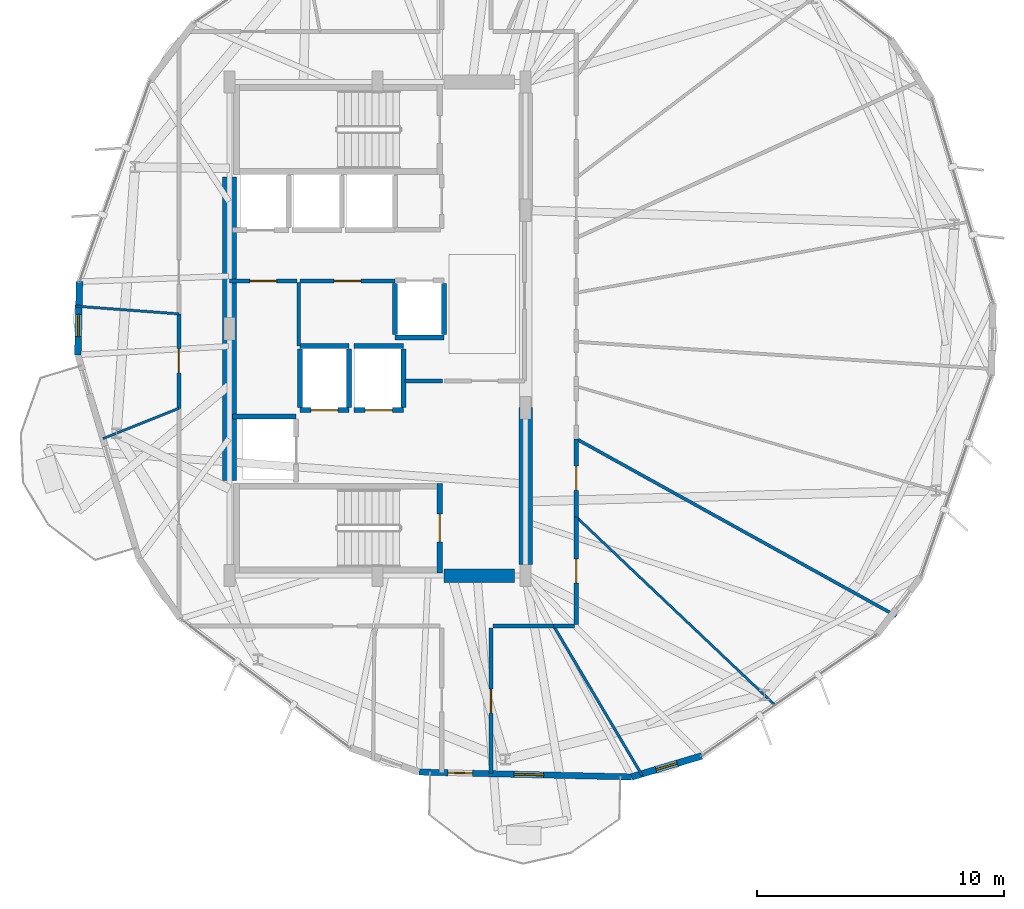
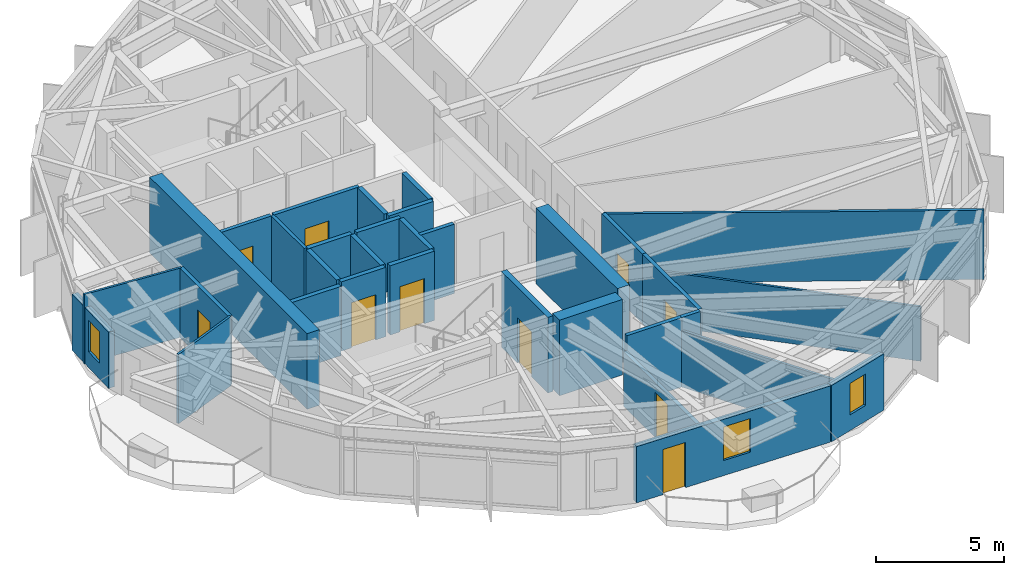
# One storey, part 16 of 22: 33 walls, 10 doors, 3 windows, 13 openings.
"""IFC4 building model written with IfcOpenShell, lengths in metres."""

from ifc_helpers import new_model, si_unit, direction, frame, frame_2d, origin, place, context, subcontext, project, spatial, rectangle, extrude, material, layer, layer_set, type_object, element, fill, save


model = new_model("IFC4")

# Units and contexts
model_context = context("Model", 3, precision=1e-05, world=origin(), true_north=direction((0.0, 1.0)))
body_context = subcontext(model_context, "Body", "Model", "MODEL_VIEW")
ifc_project = project(units=[si_unit("LENGTHUNIT", "METRE"), si_unit("AREAUNIT", "SQUARE_METRE"), si_unit("VOLUMEUNIT", "CUBIC_METRE"), si_unit("PLANEANGLEUNIT", "RADIAN"), si_unit("MASSUNIT", "GRAM", prefix="KILO")], contexts=[model_context])

# Site, building, storey
site_placement = place(None, origin())
site = spatial("IfcSite", under=ifc_project, at=site_placement, CompositionType="ELEMENT")
building_placement = place(site_placement, origin())
building = spatial("IfcBuilding", under=site, at=building_placement, Name="Soratama Intermodal Tower", CompositionType="ELEMENT")
storey_placement = place(building_placement, frame((0.0, 0.0, 160.60009765625)))
storey = spatial("IfcBuildingStorey", under=building, at=storey_placement, Name="L39", CompositionType="ELEMENT", Elevation=160.60009765625)

# Wall, openings, door, window
ifc_material_1 = material(Name="Concrete f'c 42 MPa", Category="concrete")
ifc_layer_1 = layer(ifc_material_1, 0.25)
ifc_layer_set_1 = layer_set([ifc_layer_1], Name="Concrete f'c 42 MPa")
wall_type_1 = type_object("IfcWallType", Name="EW-BAL-250", PredefinedType="SOLIDWALL", material=ifc_layer_set_1)
wall_1_placement = place(storey_placement, frame((40.274169921875, 7.037109375, 0.0), z_axis=(0.0, 0.0, 1.0), x_axis=(0.999734296137, -0.023050751106, 0.0)))
wall_1 = element("IfcWall", 1, at=wall_1_placement, inside=storey, type_object=wall_type_1, Name="L39 Terrace Wall F07", PredefinedType="SOLIDWALL", context=body_context, shape_type="SweptSolid", body=[
    extrude(rectangle(XDim=8.621337890625, YDim=0.25, at=frame_2d((4.310546875, 0.0))), origin(), (0.0, 0.0, 1.0), 2.678955078125),
])
opening_1_placement = place(wall_1_placement, frame((1.1767578125, 0.0, 0.0)))
opening_1 = element("IfcOpeningElement", 2, at=opening_1_placement, cuts=wall_1, Name="Opening ED-2", PredefinedType="OPENING", context=body_context, shape_type="SweptSolid", body=[
    extrude(rectangle(XDim=1.0, YDim=2.14990234375, at=frame_2d((0.5, 1.074951171875))), frame((0.0, 0.135009765625, 0.0), z_axis=(0.0, -1.0, 0.0), x_axis=(1.0, 0.0, 0.0)), (0.0, 0.0, 1.0), 0.27001953125),
])
opening_2_placement = place(wall_1_placement, frame((3.85791015625, 0.0, 0.719970703125)))
opening_2 = element("IfcOpeningElement", 3, at=opening_2_placement, cuts=wall_1, Name="Opening WN-2", PredefinedType="OPENING", context=body_context, shape_type="SweptSolid", body=[
    extrude(rectangle(XDim=1.199951171875, YDim=1.60009765625, at=frame_2d((0.60009765625, 0.800048828125))), frame((0.0, 0.135009765625, 0.0), z_axis=(0.0, -1.0, 0.0), x_axis=(1.0, 0.0, 0.0)), (0.0, 0.0, 1.0), 0.27001953125),
])
ifc_material_2 = material(Name="Double-glazed aluminium door", Category="aluminium")
door_type_1 = type_object("IfcDoorType", Name="DR-BAL-1000", OperationType="NOTDEFINED", PredefinedType="DOOR", material=ifc_material_2)
door_1_placement = place(opening_1_placement, origin())
door_1 = element("IfcDoor", 4, at=door_1_placement, inside=storey, type_object=door_type_1, Name="L39 Balcony Door F07", OperationType="SINGLE_SWING_LEFT", OverallHeight=2.14990234375, OverallWidth=1.0, PredefinedType="DOOR", context=body_context, shape_type="SweptSolid", body=[
    extrude(rectangle(XDim=1.0, YDim=2.14990234375, at=frame_2d((0.5, 1.074951171875))), frame((0.0, 0.02490234375, 0.0), z_axis=(0.0, -1.0, 0.0), x_axis=(1.0, 0.0, 0.0)), (0.0, 0.0, 1.0), 0.050048828125),
])
fill(opening_1, door_1)
ifc_material_3 = material(Name="Double-glazed aluminium window", Category="aluminium")
window_type_1 = type_object("IfcWindowType", Name="WN-FAC-1200", PartitioningType="SINGLE_PANEL", PredefinedType="WINDOW", material=ifc_material_3)
window_1_placement = place(opening_2_placement, origin())
window_1 = element("IfcWindow", 5, at=window_1_placement, inside=storey, type_object=window_type_1, Name="L39 Window B F07", OverallHeight=1.60009765625, OverallWidth=1.199951171875, PartitioningType="SINGLE_PANEL", PredefinedType="WINDOW", context=body_context, shape_type="SweptSolid", body=[
    extrude(rectangle(XDim=1.199951171875, YDim=1.60009765625, at=frame_2d((0.60009765625, 0.800048828125))), frame((0.0, 0.030029296875, 0.0), z_axis=(0.0, -1.0, 0.0), x_axis=(1.0, 0.0, 0.0)), (0.0, 0.0, 1.0), 0.06005859375),
])
fill(opening_2, window_1)

# Wall, opening, window
ifc_material_4 = material(Name="Concrete f'c 42 MPa", Category="concrete")
ifc_layer_2 = layer(ifc_material_4, 0.27001953125)
ifc_layer_set_2 = layer_set([ifc_layer_2], Name="Concrete f'c 42 MPa")
wall_type_2 = type_object("IfcWallType", Name="EW-CRN-270", PredefinedType="SOLIDWALL", material=ifc_layer_set_2)
wall_2_placement = place(storey_placement, frame((26.524169921875, 26.909423828125, 0.0), z_axis=(0.0, 0.0, 1.0), x_axis=(-0.023042941499, -0.999734476172, 0.0)))
wall_2 = element("IfcWall", 6, at=wall_2_placement, inside=storey, type_object=wall_type_2, Name="L39 Corner Closure Wall 04", PredefinedType="SOLIDWALL", context=body_context, shape_type="SweptSolid", body=[
    extrude(rectangle(XDim=2.966552734375, YDim=0.27001953125, at=frame_2d((1.4833984375, 0.0))), origin(), (0.0, 0.0, 1.0), 2.678955078125),
])
opening_3_placement = place(wall_2_placement, frame((1.324951171875, 0.0, 0.75)))
opening_3 = element("IfcOpeningElement", 7, at=opening_3_placement, cuts=wall_2, Name="Opening WN-6", PredefinedType="OPENING", context=body_context, shape_type="SweptSolid", body=[
    extrude(rectangle(XDim=0.89990234375, YDim=1.5, at=frame_2d((0.449951171875, 0.75))), frame((0.0, 0.14501953125, 0.0), z_axis=(0.0, -1.0, 0.0), x_axis=(1.0, 0.0, 0.0)), (0.0, 0.0, 1.0), 0.2900390625),
])
ifc_material_5 = material(Name="Double-glazed aluminium window", Category="aluminium")
window_type_2 = type_object("IfcWindowType", Name="WN-FAC-900", PartitioningType="SINGLE_PANEL", PredefinedType="WINDOW", material=ifc_material_5)
window_2_placement = place(opening_3_placement, origin())
window_2 = element("IfcWindow", 8, at=window_2_placement, inside=storey, type_object=window_type_2, Name="L39 Corner Window 04", OverallHeight=1.5, OverallWidth=0.89990234375, PartitioningType="SINGLE_PANEL", PredefinedType="WINDOW", context=body_context, shape_type="SweptSolid", body=[
    extrude(rectangle(XDim=0.89990234375, YDim=1.5, at=frame_2d((0.449951171875, 0.75))), frame((0.0, 0.030029296875, 0.0), z_axis=(0.0, -1.0, 0.0), x_axis=(1.0, 0.0, 0.0)), (0.0, 0.0, 1.0), 0.06005859375),
])
fill(opening_3, window_2)

wall_3_placement = place(storey_placement, frame((48.893310546875, 6.83837890625, 0.0), z_axis=(0.0, 0.0, 1.0), x_axis=(0.957939463861, 0.286970353134, 0.0)))
wall_3 = element("IfcWall", 9, at=wall_3_placement, inside=storey, type_object=wall_type_2, Name="L39 Corner Closure Wall 07", PredefinedType="SOLIDWALL", context=body_context, shape_type="SweptSolid", body=[
    extrude(rectangle(XDim=2.966552734375, YDim=0.27001953125, at=frame_2d((1.4833984375, 0.0))), origin(), (0.0, 0.0, 1.0), 2.678955078125),
])
opening_4_placement = place(wall_3_placement, frame((1.033203125, 0.0, 0.75)))
opening_4 = element("IfcOpeningElement", 10, at=opening_4_placement, cuts=wall_3, Name="Opening WN-6", PredefinedType="OPENING", context=body_context, shape_type="SweptSolid", body=[
    extrude(rectangle(XDim=0.89990234375, YDim=1.5, at=frame_2d((0.449951171875, 0.75))), frame((0.0, 0.14501953125, 0.0), z_axis=(0.0, -1.0, 0.0), x_axis=(1.0, 0.0, 0.0)), (0.0, 0.0, 1.0), 0.2900390625),
])
window_3_placement = place(opening_4_placement, origin())
window_3 = element("IfcWindow", 11, at=window_3_placement, inside=storey, type_object=window_type_2, Name="L39 Corner Window 07", OverallHeight=1.5, OverallWidth=0.89990234375, PartitioningType="SINGLE_PANEL", PredefinedType="WINDOW", context=body_context, shape_type="SweptSolid", body=[
    extrude(rectangle(XDim=0.89990234375, YDim=1.5, at=frame_2d((0.449951171875, 0.75))), frame((0.0, 0.030029296875, 0.0), z_axis=(0.0, -1.0, 0.0), x_axis=(1.0, 0.0, 0.0)), (0.0, 0.0, 1.0), 0.06005859375),
])
fill(opening_4, window_3)

# Wall, opening, door
ifc_material_6 = material(Name="Fire-rated gypsum stud partition", Category="concrete")
ifc_layer_3 = layer(ifc_material_6, 0.169921875)
ifc_layer_set_3 = layer_set([ifc_layer_3], Name="Fire-rated gypsum stud partition")
wall_type_3 = type_object("IfcWallType", Name="IW-PART-R170", PredefinedType="PARTITIONING", material=ifc_layer_set_3)
wall_4_placement = place(storey_placement, frame((43.199951171875, 12.8798828125, 0.0), z_axis=(0.0, 0.0, 1.0), x_axis=(0.0, -1.0, 0.0)))
wall_4 = element("IfcWall", 12, at=wall_4_placement, inside=storey, type_object=wall_type_3, Name="L39 Partition W-L39-TP017", PredefinedType="PARTITIONING", context=body_context, shape_type="SweptSolid", body=[
    extrude(rectangle(XDim=5.909912109375, YDim=0.169921875, at=frame_2d((2.955078125, 0.0))), origin(), (0.0, 0.0, 1.0), 2.594970703125),
])
opening_5_placement = place(wall_4_placement, frame((2.47998046875, 0.0, 0.0)))
opening_5 = element("IfcOpeningElement", 13, at=opening_5_placement, cuts=wall_4, Name="Opening ID-5", PredefinedType="OPENING", context=body_context, shape_type="SweptSolid", body=[
    extrude(rectangle(XDim=0.97998046875, YDim=2.14990234375, at=frame_2d((0.489990234375, 1.074951171875))), frame((0.0, 0.094970703125, 0.0), z_axis=(0.0, -1.0, 0.0), x_axis=(1.0, 0.0, 0.0)), (0.0, 0.0, 1.0), 0.18994140625),
])
ifc_material_7 = material(Name="Solid hardwood acoustic door", Category="wood")
door_type_2 = type_object("IfcDoorType", Name="DR-OFF-980", OperationType="NOTDEFINED", PredefinedType="DOOR", material=ifc_material_7)
door_2_placement = place(opening_5_placement, origin())
door_2 = element("IfcDoor", 14, at=door_2_placement, inside=storey, type_object=door_type_2, Name="L39 Door D-L39-TP007", OperationType="SINGLE_SWING_RIGHT", OverallHeight=2.14990234375, OverallWidth=0.97998046875, PredefinedType="DOOR", context=body_context, shape_type="SweptSolid", body=[
    extrude(rectangle(XDim=0.97998046875, YDim=2.14990234375, at=frame_2d((0.489990234375, 1.074951171875))), frame((0.0, 0.02490234375, 0.0), z_axis=(0.0, -1.0, 0.0), x_axis=(1.0, 0.0, 0.0)), (0.0, 0.0, 1.0), 0.050048828125),
])
fill(opening_5, door_2)

wall_5_placement = place(storey_placement, frame((46.64990234375, 17.3779296875, 0.0), z_axis=(0.0, 0.0, 1.0), x_axis=(0.0, -1.0, 0.0)))
wall_5 = element("IfcWall", 15, at=wall_5_placement, inside=storey, type_object=wall_type_3, Name="L39 Partition W-L39-TP022", PredefinedType="PARTITIONING", context=body_context, shape_type="SweptSolid", body=[
    extrude(rectangle(XDim=4.35791015625, YDim=0.169921875, at=frame_2d((2.178955078125, 0.0))), origin(), (0.0, 0.0, 1.0), 3.2998046875),
])
opening_6_placement = place(wall_5_placement, frame((1.7041015625, 0.0, 0.0)))
opening_6 = element("IfcOpeningElement", 16, at=opening_6_placement, cuts=wall_5, Name="Opening ID-5", PredefinedType="OPENING", context=body_context, shape_type="SweptSolid", body=[
    extrude(rectangle(XDim=0.97998046875, YDim=2.14990234375, at=frame_2d((0.489990234375, 1.074951171875))), frame((0.0, 0.094970703125, 0.0), z_axis=(0.0, -1.0, 0.0), x_axis=(1.0, 0.0, 0.0)), (0.0, 0.0, 1.0), 0.18994140625),
])
door_3_placement = place(opening_6_placement, origin())
door_3 = element("IfcDoor", 17, at=door_3_placement, inside=storey, type_object=door_type_2, Name="L39 Door D-L39-TP010", OperationType="SINGLE_SWING_LEFT", OverallHeight=2.14990234375, OverallWidth=0.97998046875, PredefinedType="DOOR", context=body_context, shape_type="SweptSolid", body=[
    extrude(rectangle(XDim=0.97998046875, YDim=2.14990234375, at=frame_2d((0.489990234375, 1.074951171875))), frame((0.0, 0.02490234375, 0.0), z_axis=(0.0, -1.0, 0.0), x_axis=(1.0, 0.0, 0.0)), (0.0, 0.0, 1.0), 0.050048828125),
])
fill(opening_6, door_3)

wall_6_placement = place(storey_placement, frame((39.300048828125, 26.93994140625, 0.0), z_axis=(0.0, 0.0, 1.0), x_axis=(-1.0, 0.0, 0.0)))
wall_6 = element("IfcWall", 18, at=wall_6_placement, inside=storey, type_object=wall_type_3, Name="L39 Partition W-L39-TP025", PredefinedType="PARTITIONING", context=body_context, shape_type="SweptSolid", body=[
    extrude(rectangle(XDim=3.840087890625, YDim=0.169921875, at=frame_2d((1.919921875, 0.0))), origin(), (0.0, 0.0, 1.0), 3.2998046875),
])
opening_7_placement = place(wall_6_placement, frame((1.3798828125, 0.0, 0.0)))
opening_7 = element("IfcOpeningElement", 19, at=opening_7_placement, cuts=wall_6, Name="Opening ID-1", PredefinedType="OPENING", context=body_context, shape_type="SweptSolid", body=[
    extrude(rectangle(XDim=1.080078125, YDim=2.14990234375, at=frame_2d((0.5400390625, 1.074951171875))), frame((0.0, 0.094970703125, 0.0), z_axis=(0.0, -1.0, 0.0), x_axis=(1.0, 0.0, 0.0)), (0.0, 0.0, 1.0), 0.18994140625),
])
ifc_material_8 = material(Name="Solid hardwood acoustic door", Category="wood")
door_type_3 = type_object("IfcDoorType", Name="DR-LOB-FD60", OperationType="NOTDEFINED", PredefinedType="DOOR", material=ifc_material_8)
door_4_placement = place(opening_7_placement, origin())
door_4 = element("IfcDoor", 20, at=door_4_placement, inside=storey, type_object=door_type_3, Name="L39 Door D-L39-TP012", OperationType="SINGLE_SWING_LEFT", OverallHeight=2.14990234375, OverallWidth=1.080078125, PredefinedType="DOOR", context=body_context, shape_type="SweptSolid", body=[
    extrude(rectangle(XDim=1.080078125, YDim=2.14990234375, at=frame_2d((0.5400390625, 1.074951171875))), frame((0.0, 0.02490234375, 0.0), z_axis=(0.0, -1.0, 0.0), x_axis=(1.0, 0.0, 0.0)), (0.0, 0.0, 1.0), 0.050048828125),
])
fill(opening_7, door_4)

wall_7_placement = place(storey_placement, frame((30.550048828125, 21.778076171875, 0.0), z_axis=(0.0, 0.0, 1.0), x_axis=(0.0, 1.0, 0.0)))
wall_7 = element("IfcWall", 21, at=wall_7_placement, inside=storey, type_object=wall_type_3, Name="L39 Partition W-L39-TP026", PredefinedType="PARTITIONING", context=body_context, shape_type="SweptSolid", body=[
    extrude(rectangle(XDim=3.824951171875, YDim=0.169921875, at=frame_2d((1.91259765625, 0.0))), origin(), (0.0, 0.0, 1.0), 3.2998046875),
])
opening_8_placement = place(wall_7_placement, frame((1.43798828125, 0.0, 0.0)))
opening_8 = element("IfcOpeningElement", 22, at=opening_8_placement, cuts=wall_7, Name="Opening ID-5", PredefinedType="OPENING", context=body_context, shape_type="SweptSolid", body=[
    extrude(rectangle(XDim=0.97998046875, YDim=2.14990234375, at=frame_2d((0.489990234375, 1.074951171875))), frame((0.0, 0.094970703125, 0.0), z_axis=(0.0, -1.0, 0.0), x_axis=(1.0, 0.0, 0.0)), (0.0, 0.0, 1.0), 0.18994140625),
])
door_5_placement = place(opening_8_placement, origin())
door_5 = element("IfcDoor", 23, at=door_5_placement, inside=storey, type_object=door_type_2, Name="L39 Door D-L39-TP013", OperationType="SINGLE_SWING_RIGHT", OverallHeight=2.14990234375, OverallWidth=0.97998046875, PredefinedType="DOOR", context=body_context, shape_type="SweptSolid", body=[
    extrude(rectangle(XDim=0.97998046875, YDim=2.14990234375, at=frame_2d((0.489990234375, 1.074951171875))), frame((0.0, 0.02490234375, 0.0), z_axis=(0.0, -1.0, 0.0), x_axis=(1.0, 0.0, 0.0)), (0.0, 0.0, 1.0), 0.050048828125),
])
fill(opening_8, door_5)

wall_8_placement = place(storey_placement, frame((46.64990234375, 20.5419921875, 0.0), z_axis=(0.0, 0.0, 1.0), x_axis=(0.0, -1.0, 0.0)))
wall_8 = element("IfcWall", 24, at=wall_8_placement, inside=storey, type_object=wall_type_3, Name="L39 Partition W-L39-TP030", PredefinedType="PARTITIONING", context=body_context, shape_type="SweptSolid", body=[
    extrude(rectangle(XDim=3.1640625, YDim=0.169921875, at=frame_2d((1.58203125, 0.0))), origin(), (0.0, 0.0, 1.0), 3.2998046875),
])
opening_9_placement = place(wall_8_placement, frame((1.10693359375, 0.0, 0.0)))
opening_9 = element("IfcOpeningElement", 25, at=opening_9_placement, cuts=wall_8, Name="Opening ID-5", PredefinedType="OPENING", context=body_context, shape_type="SweptSolid", body=[
    extrude(rectangle(XDim=0.97998046875, YDim=2.14990234375, at=frame_2d((0.489990234375, 1.074951171875))), frame((0.0, 0.094970703125, 0.0), z_axis=(0.0, -1.0, 0.0), x_axis=(1.0, 0.0, 0.0)), (0.0, 0.0, 1.0), 0.18994140625),
])
door_6_placement = place(opening_9_placement, origin())
door_6 = element("IfcDoor", 26, at=door_6_placement, inside=storey, type_object=door_type_2, Name="L39 Door D-L39-TP015", OperationType="SINGLE_SWING_RIGHT", OverallHeight=2.14990234375, OverallWidth=0.97998046875, PredefinedType="DOOR", context=body_context, shape_type="SweptSolid", body=[
    extrude(rectangle(XDim=0.97998046875, YDim=2.14990234375, at=frame_2d((0.489990234375, 1.074951171875))), frame((0.0, 0.02490234375, 0.0), z_axis=(0.0, -1.0, 0.0), x_axis=(1.0, 0.0, 0.0)), (0.0, 0.0, 1.0), 0.050048828125),
])
fill(opening_9, door_6)

wall_9_placement = place(storey_placement, frame((35.340087890625, 26.93994140625, 0.0), z_axis=(0.0, 0.0, 1.0), x_axis=(-1.0, 0.0, 0.0)))
wall_9 = element("IfcWall", 27, at=wall_9_placement, inside=storey, type_object=wall_type_3, Name="L39 Partition W-L39-TP031", PredefinedType="PARTITIONING", context=body_context, shape_type="SweptSolid", body=[
    extrude(rectangle(XDim=2.739990234375, YDim=0.169921875, at=frame_2d((1.3701171875, 0.0))), origin(), (0.0, 0.0, 1.0), 3.2998046875),
])
opening_10_placement = place(wall_9_placement, frame((0.830078125, 0.0, 0.0)))
opening_10 = element("IfcOpeningElement", 28, at=opening_10_placement, cuts=wall_9, Name="Opening ID-1", PredefinedType="OPENING", context=body_context, shape_type="SweptSolid", body=[
    extrude(rectangle(XDim=1.080078125, YDim=2.14990234375, at=frame_2d((0.5400390625, 1.074951171875))), frame((0.0, 0.094970703125, 0.0), z_axis=(0.0, -1.0, 0.0), x_axis=(1.0, 0.0, 0.0)), (0.0, 0.0, 1.0), 0.18994140625),
])
door_7_placement = place(opening_10_placement, origin())
door_7 = element("IfcDoor", 29, at=door_7_placement, inside=storey, type_object=door_type_3, Name="L39 Door D-L39-TP016", OperationType="SINGLE_SWING_LEFT", OverallHeight=2.14990234375, OverallWidth=1.080078125, PredefinedType="DOOR", context=body_context, shape_type="SweptSolid", body=[
    extrude(rectangle(XDim=1.080078125, YDim=2.14990234375, at=frame_2d((0.5400390625, 1.074951171875))), frame((0.0, 0.02490234375, 0.0), z_axis=(0.0, -1.0, 0.0), x_axis=(1.0, 0.0, 0.0)), (0.0, 0.0, 1.0), 0.050048828125),
])
fill(opening_10, door_7)

# Walls
wall_10_placement = place(storey_placement, frame((45.738037109375, 12.949951171875, 0.0), z_axis=(0.0, 0.0, 1.0), x_axis=(-1.0, 0.0, 0.0)))
element("IfcWall", 30, at=wall_10_placement, inside=storey, type_object=wall_type_3, Name="L39 Partition W-L39-TP035", PredefinedType="PARTITIONING", context=body_context, shape_type="SweptSolid", body=[
    extrude(rectangle(XDim=2.468017578125, YDim=0.169921875, at=frame_2d((1.23388671875, 0.0))), origin(), (0.0, 0.0, 1.0), 3.2998046875),
])
wall_11_placement = place(storey_placement, frame((39.719970703125, 22.889892578125, 0.0), z_axis=(0.0, 0.0, 1.0), x_axis=(1.0, 0.0, 0.0)))
element("IfcWall", 31, at=wall_11_placement, inside=storey, type_object=wall_type_3, Name="L39 Partition W-L39-TP044", PredefinedType="PARTITIONING", context=body_context, shape_type="SweptSolid", body=[
    extrude(rectangle(XDim=1.52001953125, YDim=0.169921875, at=frame_2d((0.760009765625, 0.0))), origin(), (0.0, 0.0, 1.0), 3.2998046875),
])
wall_12_placement = place(storey_placement, frame((46.580078125, 12.949951171875, 0.0), z_axis=(0.0, 0.0, 1.0), x_axis=(-1.0, 0.0, 0.0)))
element("IfcWall", 32, at=wall_12_placement, inside=storey, type_object=wall_type_3, Name="L39 Partition W-L39-TP045", PredefinedType="PARTITIONING", context=body_context, shape_type="SweptSolid", body=[
    extrude(rectangle(XDim=0.842041015625, YDim=0.169921875, at=frame_2d((0.4208984375, 0.0))), origin(), (0.0, 0.0, 1.0), 3.2998046875),
])
ifc_material_9 = material(Name="Fire-rated gypsum stud partition", Category="concrete")
ifc_layer_4 = layer(ifc_material_9, 0.10009765625)
ifc_layer_set_4 = layer_set([ifc_layer_4], Name="Fire-rated gypsum stud partition")
wall_type_4 = type_object("IfcWallType", Name="IW-PART-S100", PredefinedType="PARTITIONING", material=ifc_layer_set_4)
wall_13_placement = place(storey_placement, frame((46.64990234375, 17.3779296875, 0.0), z_axis=(0.0, 0.0, 1.0), x_axis=(0.726135317292, -0.687551816943, 0.0)))
element("IfcWall", 33, at=wall_13_placement, inside=storey, type_object=wall_type_4, Name="L39 Partition W-L39-TP008", PredefinedType="PARTITIONING", context=body_context, shape_type="SweptSolid", body=[
    extrude(rectangle(XDim=11.0986328125, YDim=0.10009765625, at=frame_2d((5.54931640625, 0.0))), origin(), (0.0, 0.0, 1.0), 2.594970703125),
])
wall_14_placement = place(storey_placement, frame((30.550048828125, 25.60302734375, 0.0), z_axis=(0.0, 0.0, 1.0), x_axis=(-0.997208368142, 0.074669073305, 0.0)))
element("IfcWall", 34, at=wall_14_placement, inside=storey, type_object=wall_type_4, Name="L39 Partition W-L39-TP023", PredefinedType="PARTITIONING", context=body_context, shape_type="SweptSolid", body=[
    extrude(rectangle(XDim=4.2177734375, YDim=0.10009765625, at=frame_2d((2.10888671875, 0.0))), origin(), (0.0, 0.0, 1.0), 3.2998046875),
])
wall_15_placement = place(storey_placement, frame((30.550048828125, 21.778076171875, 0.0), z_axis=(0.0, 0.0, 1.0), x_axis=(-0.928568118244, -0.371162026318, 0.0)))
element("IfcWall", 35, at=wall_15_placement, inside=storey, type_object=wall_type_4, Name="L39 Partition W-L39-TP028", PredefinedType="PARTITIONING", context=body_context, shape_type="SweptSolid", body=[
    extrude(rectangle(XDim=3.31396484375, YDim=0.10009765625, at=frame_2d((1.656982421875, 0.0))), origin(), (0.0, 0.0, 1.0), 3.2998046875),
])
ifc_material_10 = material(Name="Fire-rated gypsum stud partition", Category="concrete")
ifc_layer_5 = layer(ifc_material_10, 0.110107421875)
ifc_layer_set_5 = layer_set([ifc_layer_5], Name="Fire-rated gypsum stud partition")
wall_type_5 = type_object("IfcWallType", Name="IW-PART-S110", PredefinedType="PARTITIONING", material=ifc_layer_set_5)
wall_16_placement = place(storey_placement, frame((45.738037109375, 12.949951171875, 0.0), z_axis=(0.0, 0.0, 1.0), x_axis=(0.50979858573, -0.860293788184, 0.0)))
element("IfcWall", 36, at=wall_16_placement, inside=storey, type_object=wall_type_5, Name="L39 Partition W-L39-TP012", PredefinedType="PARTITIONING", context=body_context, shape_type="SweptSolid", body=[
    extrude(rectangle(XDim=7.035888671875, YDim=0.110107421875, at=frame_2d((3.51806640625, 0.0))), origin(), (0.0, 0.0, 1.0), 2.677978515625),
])
ifc_material_11 = material(Name="Fire-rated gypsum stud partition", Category="concrete")
ifc_layer_6 = layer(ifc_material_11, 0.1298828125)
ifc_layer_set_6 = layer_set([ifc_layer_6], Name="Fire-rated gypsum stud partition")
wall_type_6 = type_object("IfcWallType", Name="IW-PART-S130", PredefinedType="PARTITIONING", material=ifc_layer_set_6)
wall_17_placement = place(storey_placement, frame((46.64990234375, 20.5419921875, 0.0), z_axis=(0.0, 0.0, 1.0), x_axis=(0.874793288303, -0.484496339244, 0.0)))
element("IfcWall", 37, at=wall_17_placement, inside=storey, type_object=wall_type_6, Name="L39 Partition W-L39-TP005", PredefinedType="PARTITIONING", context=body_context, shape_type="SweptSolid", body=[
    extrude(rectangle(XDim=14.829833984375, YDim=0.1298828125, at=frame_2d((7.4150390625, 0.0))), origin(), (0.0, 0.0, 1.0), 3.2998046875),
])
ifc_material_12 = material(Name="Fire-rated gypsum stud partition", Category="concrete")
ifc_layer_7 = layer(ifc_material_12, 0.139892578125)
ifc_layer_set_7 = layer_set([ifc_layer_7], Name="Fire-rated gypsum stud partition")
wall_type_7 = type_object("IfcWallType", Name="IW-PART-S140", PredefinedType="PARTITIONING", material=ifc_layer_set_7)
wall_18_placement = place(storey_placement, frame((35.39990234375, 26.8798828125, 0.0), z_axis=(0.0, 0.0, 1.0), x_axis=(0.0, -1.0, 0.0)))
element("IfcWall", 38, at=wall_18_placement, inside=storey, type_object=wall_type_7, Name="L39 Partition W-L39-TP034", PredefinedType="PARTITIONING", context=body_context, shape_type="SweptSolid", body=[
    extrude(rectangle(XDim=2.579833984375, YDim=0.139892578125, at=frame_2d((1.2900390625, 0.0))), origin(), (0.0, 0.0, 1.0), 3.2998046875),
])

# Wall, opening, door
ifc_material_13 = material(Name="Concrete f'c 42 MPa", Category="concrete")
ifc_layer_8 = layer(ifc_material_13, 0.199951171875)
ifc_layer_set_8 = layer_set([ifc_layer_8], Name="Concrete f'c 42 MPa")
wall_type_8 = type_object("IfcWallType", Name="IW-SHAFT-200", PredefinedType="SOLIDWALL", material=ifc_layer_set_8)
wall_19_placement = place(storey_placement, frame((35.449951171875, 21.699951171875, 0.0), z_axis=(0.0, 0.0, 1.0), x_axis=(1.0, 0.0, 0.0)))
wall_19 = element("IfcWall", 39, at=wall_19_placement, inside=storey, type_object=wall_type_8, Name="L39 FFL-1 Hoistway Wall S", PredefinedType="SOLIDWALL", context=body_context, shape_type="SweptSolid", body=[
    extrude(rectangle(XDim=2.0, YDim=0.199951171875, at=frame_2d((1.0, 0.0))), origin(), (0.0, 0.0, 1.0), 3.2998046875),
])
opening_11_placement = place(wall_19_placement, frame((0.449951171875, 0.0, 0.0)))
opening_11 = element("IfcOpeningElement", 40, at=opening_11_placement, cuts=wall_19, Name="Opening LD-1", PredefinedType="OPENING", context=body_context, shape_type="SweptSolid", body=[
    extrude(rectangle(XDim=1.10009765625, YDim=2.14990234375, at=frame_2d((0.550048828125, 1.074951171875))), frame((0.0, 0.10986328125, 0.0), z_axis=(0.0, -1.0, 0.0), x_axis=(1.0, 0.0, 0.0)), (0.0, 0.0, 1.0), 0.219970703125),
])
ifc_material_14 = material(Name="Steel fire door", Category="steel")
door_type_4 = type_object("IfcDoorType", Name="DR-LIFT-SLIDE", OperationType="NOTDEFINED", PredefinedType="DOOR", material=ifc_material_14)
door_8_placement = place(opening_11_placement, origin())
door_8 = element("IfcDoor", 41, at=door_8_placement, inside=storey, type_object=door_type_4, Name="L39 FFL-1 Sliding Landing Door", OperationType="SLIDING_TO_LEFT", OverallHeight=2.14990234375, OverallWidth=1.10009765625, PredefinedType="DOOR", context=body_context, shape_type="SweptSolid", body=[
    extrude(rectangle(XDim=1.10009765625, YDim=2.14990234375, at=frame_2d((0.550048828125, 1.074951171875))), frame((0.0, 0.02490234375, 0.0), z_axis=(0.0, -1.0, 0.0), x_axis=(1.0, 0.0, 0.0)), (0.0, 0.0, 1.0), 0.050048828125),
])
fill(opening_11, door_8)

# Walls
wall_20_placement = place(storey_placement, frame((35.449951171875, 24.300048828125, 0.0), z_axis=(0.0, 0.0, 1.0), x_axis=(1.0, 0.0, 0.0)))
element("IfcWall", 42, at=wall_20_placement, inside=storey, type_object=wall_type_8, Name="L39 FFL-1 Hoistway Wall N", PredefinedType="SOLIDWALL", context=body_context, shape_type="SweptSolid", body=[
    extrude(rectangle(XDim=2.0, YDim=0.199951171875, at=frame_2d((1.0, 0.0))), origin(), (0.0, 0.0, 1.0), 3.2998046875),
])
for number, where, z_axis, x_axis, name in (
    (43, (35.449951171875, 21.81005859375, 0.0), (0.0, 0.0, 1.0), (0.0, 1.0, 0.0), "L39 FFL-1 Hoistway Wall W"),
    (44, (37.449951171875, 21.81005859375, 0.0), (0.0, 0.0, 1.0), (0.0, 1.0, 0.0), "L39 FFL-1 Hoistway Wall E"),
):
    element("IfcWall", number, at=place(storey_placement, frame(where, z_axis=z_axis, x_axis=x_axis)), inside=storey, type_object=wall_type_8, Name=name, PredefinedType="SOLIDWALL", context=body_context, shape_type="SweptSolid", body=[
        extrude(rectangle(XDim=2.3798828125, YDim=0.199951171875, at=frame_2d((1.18994140625, 0.0))), origin(), (0.0, 0.0, 1.0), 3.2998046875),
    ])

# Wall, opening, door
wall_21_placement = place(storey_placement, frame((37.64990234375, 21.699951171875, 0.0), z_axis=(0.0, 0.0, 1.0), x_axis=(1.0, 0.0, 0.0)))
wall_21 = element("IfcWall", 45, at=wall_21_placement, inside=storey, type_object=wall_type_8, Name="L39 FFL-2 Hoistway Wall S", PredefinedType="SOLIDWALL", context=body_context, shape_type="SweptSolid", body=[
    extrude(rectangle(XDim=2.0, YDim=0.199951171875, at=frame_2d((1.0, 0.0))), origin(), (0.0, 0.0, 1.0), 3.2998046875),
])
opening_12_placement = place(wall_21_placement, frame((0.449951171875, 0.0, 0.0)))
opening_12 = element("IfcOpeningElement", 46, at=opening_12_placement, cuts=wall_21, Name="Opening LD-1", PredefinedType="OPENING", context=body_context, shape_type="SweptSolid", body=[
    extrude(rectangle(XDim=1.10009765625, YDim=2.14990234375, at=frame_2d((0.550048828125, 1.074951171875))), frame((0.0, 0.10986328125, 0.0), z_axis=(0.0, -1.0, 0.0), x_axis=(1.0, 0.0, 0.0)), (0.0, 0.0, 1.0), 0.219970703125),
])
door_9_placement = place(opening_12_placement, origin())
door_9 = element("IfcDoor", 47, at=door_9_placement, inside=storey, type_object=door_type_4, Name="L39 FFL-2 Sliding Landing Door", OperationType="SLIDING_TO_LEFT", OverallHeight=2.14990234375, OverallWidth=1.10009765625, PredefinedType="DOOR", context=body_context, shape_type="SweptSolid", body=[
    extrude(rectangle(XDim=1.10009765625, YDim=2.14990234375, at=frame_2d((0.550048828125, 1.074951171875))), frame((0.0, 0.02490234375, 0.0), z_axis=(0.0, -1.0, 0.0), x_axis=(1.0, 0.0, 0.0)), (0.0, 0.0, 1.0), 0.050048828125),
])
fill(opening_12, door_9)

# Walls
wall_22_placement = place(storey_placement, frame((37.64990234375, 24.300048828125, 0.0), z_axis=(0.0, 0.0, 1.0), x_axis=(1.0, 0.0, 0.0)))
element("IfcWall", 48, at=wall_22_placement, inside=storey, type_object=wall_type_8, Name="L39 FFL-2 Hoistway Wall N", PredefinedType="SOLIDWALL", context=body_context, shape_type="SweptSolid", body=[
    extrude(rectangle(XDim=2.0, YDim=0.199951171875, at=frame_2d((1.0, 0.0))), origin(), (0.0, 0.0, 1.0), 3.2998046875),
])
wall_23_placement = place(storey_placement, frame((39.64990234375, 21.81005859375, 0.0), z_axis=(0.0, 0.0, 1.0), x_axis=(0.0, 1.0, 0.0)))
element("IfcWall", 49, at=wall_23_placement, inside=storey, type_object=wall_type_8, Name="L39 FFL-2 Hoistway Wall E", PredefinedType="SOLIDWALL", context=body_context, shape_type="SweptSolid", body=[
    extrude(rectangle(XDim=2.3798828125, YDim=0.199951171875, at=frame_2d((1.18994140625, 0.0))), origin(), (0.0, 0.0, 1.0), 3.2998046875),
])
wall_24_placement = place(storey_placement, frame((32.719970703125, 21.449951171875, 0.0), z_axis=(0.0, 0.0, 1.0), x_axis=(1.0, 0.0, 0.0)))
element("IfcWall", 50, at=wall_24_placement, inside=storey, type_object=wall_type_8, Name="L39 SVL-1 Hoistway Wall N", PredefinedType="SOLIDWALL", context=body_context, shape_type="SweptSolid", body=[
    extrude(rectangle(XDim=2.580078125, YDim=0.199951171875, at=frame_2d((1.2900390625, 0.0))), origin(), (0.0, 0.0, 1.0), 3.2998046875),
])
wall_25_placement = place(storey_placement, frame((39.300048828125, 24.64990234375, 0.0), z_axis=(0.0, 0.0, 1.0), x_axis=(1.0, 0.0, 0.0)))
element("IfcWall", 51, at=wall_25_placement, inside=storey, type_object=wall_type_8, Name="L39 PL-M1 Hoistway Wall S", PredefinedType="SOLIDWALL", context=body_context, shape_type="SweptSolid", body=[
    extrude(rectangle(XDim=2.0, YDim=0.199951171875, at=frame_2d((1.0, 0.0))), origin(), (0.0, 0.0, 1.0), 3.2998046875),
])
for number, where, z_axis, x_axis, name in (
    (52, (39.300048828125, 24.760009765625, 0.0), (0.0, 0.0, 1.0), (0.0, 1.0, 0.0), "L39 PL-M1 Hoistway Wall W"),
    (53, (41.300048828125, 24.760009765625, 0.0), (0.0, 0.0, 1.0), (0.0, 1.0, 0.0), "L39 PL-M1 Hoistway Wall E"),
):
    element("IfcWall", number, at=place(storey_placement, frame(where, z_axis=z_axis, x_axis=x_axis)), inside=storey, type_object=wall_type_8, Name=name, PredefinedType="SOLIDWALL", context=body_context, shape_type="SweptSolid", body=[
        extrude(rectangle(XDim=2.080078125, YDim=0.199951171875, at=frame_2d((1.0400390625, 0.0))), origin(), (0.0, 0.0, 1.0), 3.2998046875),
    ])
ifc_material_15 = material(Name="Concrete f'c 56 MPa", Category="concrete")
ifc_layer_9 = layer(ifc_material_15, 0.550048828125)
ifc_layer_set_9 = layer_set([ifc_layer_9], Name="Concrete f'c 56 MPa")
wall_type_9 = type_object("IfcWallType", Name="SW-CORE-550", PredefinedType="SHEAR", material=ifc_layer_set_9)
wall_26_placement = place(storey_placement, frame((32.60009765625, 18.85009765625, 0.0), z_axis=(0.0, 0.0, 1.0), x_axis=(0.0, 1.0, 0.0)))
element("IfcWall", 54, at=wall_26_placement, inside=storey, type_object=wall_type_9, Name="L39 Core Shear Wall CW-WMID", PredefinedType="SHEAR", context=body_context, shape_type="SweptSolid", body=[
    extrude(rectangle(XDim=12.2998046875, YDim=0.550048828125, at=frame_2d((6.14990234375, 0.0))), origin(), (0.0, 0.0, 1.0), 3.599853515625),
])
wall_27_placement = place(storey_placement, frame((41.300048828125, 15.0, 0.0), z_axis=(0.0, 0.0, 1.0), x_axis=(1.0, 0.0, 0.0)))
element("IfcWall", 55, at=wall_27_placement, inside=storey, type_object=wall_type_9, Name="L39 Core Shear Wall CW-SE", PredefinedType="SHEAR", context=body_context, shape_type="SweptSolid", body=[
    extrude(rectangle(XDim=2.849853515625, YDim=0.550048828125, at=frame_2d((1.4248046875, 0.0))), origin(), (0.0, 0.0, 1.0), 3.599853515625),
])
wall_28_placement = place(storey_placement, frame((44.60009765625, 15.449951171875, 0.0), z_axis=(0.0, 0.0, 1.0), x_axis=(0.0, 1.0, 0.0)))
element("IfcWall", 56, at=wall_28_placement, inside=storey, type_object=wall_type_9, Name="L39 Core Shear Wall CW-ES", PredefinedType="SHEAR", context=body_context, shape_type="SweptSolid", body=[
    extrude(rectangle(XDim=6.35009765625, YDim=0.550048828125, at=frame_2d((3.175048828125, 0.0))), origin(), (0.0, 0.0, 1.0), 3.599853515625),
])

# Wall, opening, door
ifc_material_16 = material(Name="Concrete f'c 56 MPa", Category="concrete")
ifc_layer_10 = layer(ifc_material_16, 0.239990234375)
ifc_layer_set_10 = layer_set([ifc_layer_10], Name="Concrete f'c 56 MPa")
wall_type_10 = type_object("IfcWallType", Name="SW-STAIR-240", PredefinedType="SHEAR", material=ifc_layer_set_10)
wall_29_placement = place(storey_placement, frame((41.1201171875, 15.110107421875, 0.0), z_axis=(0.0, 0.0, 1.0), x_axis=(0.0, 1.0, 0.0)))
wall_29 = element("IfcWall", 57, at=wall_29_placement, inside=storey, type_object=wall_type_10, Name="L39 ST-1 Shaft Shear Wall E", PredefinedType="SHEAR", context=body_context, shape_type="SweptSolid", body=[
    extrude(rectangle(XDim=3.6298828125, YDim=0.239990234375, at=frame_2d((1.81494140625, 0.0))), origin(), (0.0, 0.0, 1.0), 3.599853515625),
])
opening_13_placement = place(wall_29_placement, frame((1.2548828125, 0.0, 0.0)))
opening_13 = element("IfcOpeningElement", 58, at=opening_13_placement, cuts=wall_29, Name="Opening SD-1", PredefinedType="OPENING", context=body_context, shape_type="SweptSolid", body=[
    extrude(rectangle(XDim=1.1201171875, YDim=2.14990234375, at=frame_2d((0.56005859375, 1.074951171875))), frame((0.0, 0.1298828125, 0.0), z_axis=(0.0, -1.0, 0.0), x_axis=(1.0, 0.0, 0.0)), (0.0, 0.0, 1.0), 0.260009765625),
])
ifc_material_17 = material(Name="Steel fire door", Category="steel")
door_type_5 = type_object("IfcDoorType", Name="DR-STAIR-FD90", OperationType="NOTDEFINED", PredefinedType="DOOR", material=ifc_material_17)
door_10_placement = place(opening_13_placement, origin())
door_10 = element("IfcDoor", 59, at=door_10_placement, inside=storey, type_object=door_type_5, Name="L39 ST-1 Exit Stair Door", OperationType="SINGLE_SWING_LEFT", OverallHeight=2.14990234375, OverallWidth=1.1201171875, PredefinedType="DOOR", context=body_context, shape_type="SweptSolid", body=[
    extrude(rectangle(XDim=1.1201171875, YDim=2.14990234375, at=frame_2d((0.56005859375, 1.074951171875))), frame((0.0, 0.02490234375, 0.0), z_axis=(0.0, -1.0, 0.0), x_axis=(1.0, 0.0, 0.0)), (0.0, 0.0, 1.0), 0.050048828125),
])
fill(opening_13, door_10)

save(model, "model.ifc")
